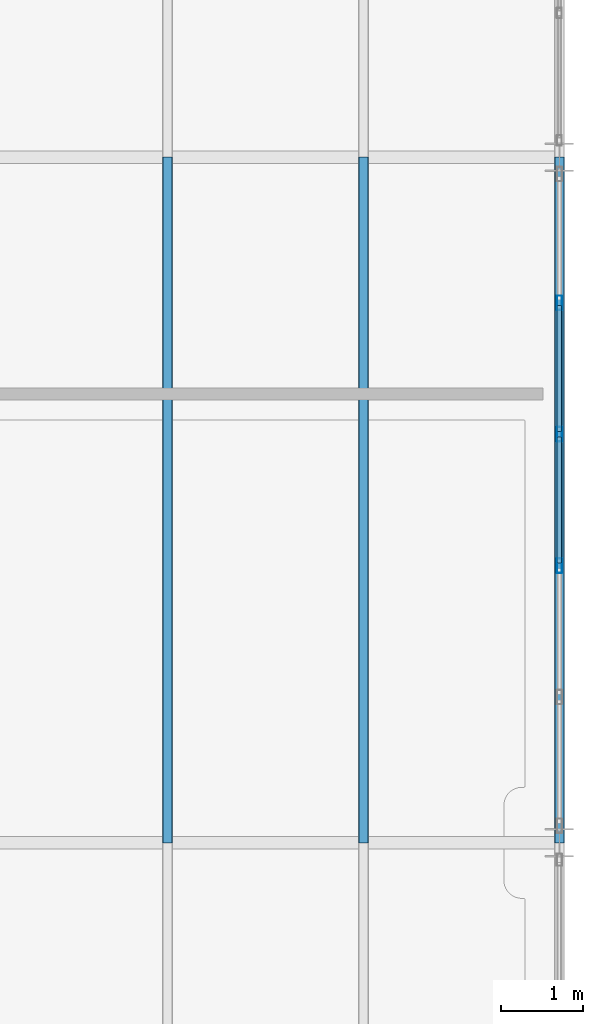
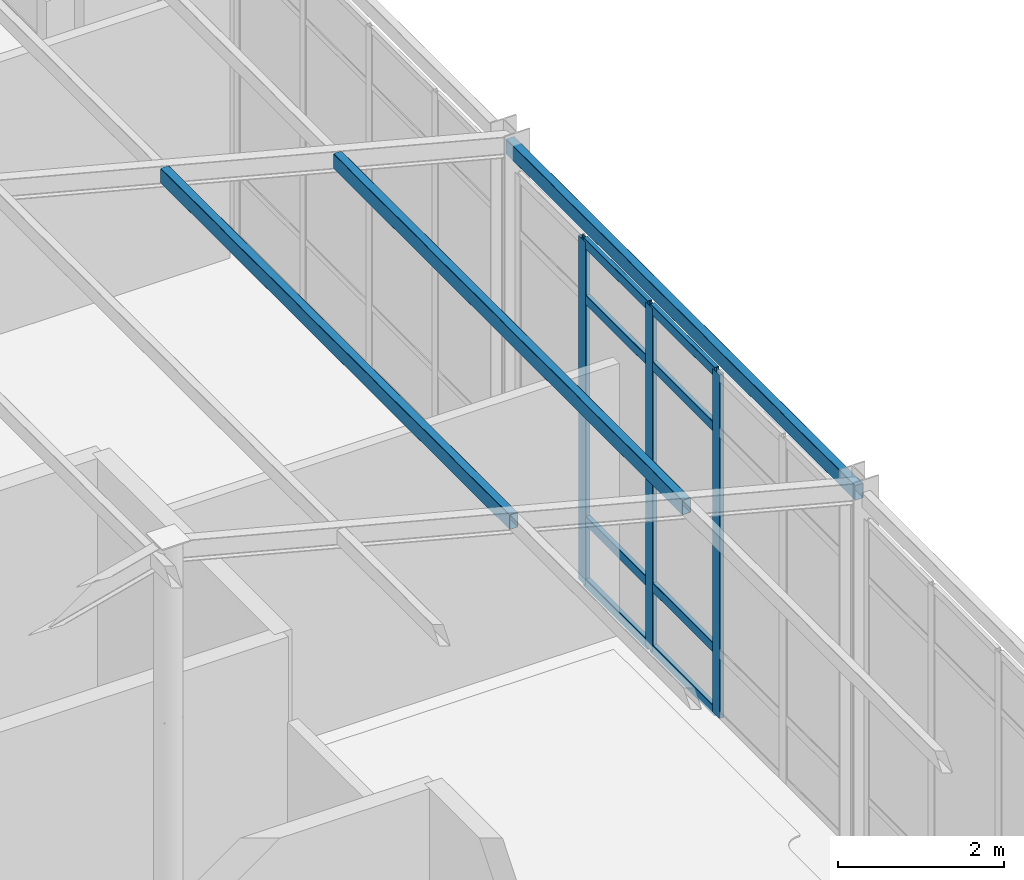
# One storey, part 16 of 121: 14 members, 1 element without a shape of its own.
"""IFC4 building model written with IfcOpenShell, lengths in metres."""

from ifc_helpers import new_model, si_unit, direction, frame, origin, origin_2d, place, context, subcontext, project, spatial, hollow_rectangle, extrude, material, material_profile, profile_set, type_object, element, aggregate, save


model = new_model("IFC4")

# Units and contexts
model_context = context("Model", 3, precision=1e-05, world=origin(), true_north=direction((0.0, 1.0)))
body_context = subcontext(model_context, "Body", "Model", "MODEL_VIEW")
ifc_project = project(units=[si_unit("LENGTHUNIT", "METRE"), si_unit("AREAUNIT", "SQUARE_METRE"), si_unit("VOLUMEUNIT", "CUBIC_METRE"), si_unit("PLANEANGLEUNIT", "RADIAN"), si_unit("MASSUNIT", "GRAM", prefix="KILO")], contexts=[model_context])

# Site, building, storey
site_placement = place(None, origin())
site = spatial("IfcSite", under=ifc_project, at=site_placement, CompositionType="ELEMENT")
building_placement = place(site_placement, origin())
building = spatial("IfcBuilding", under=site, at=building_placement, Name="Canglan Escarpment Cableway Terminal", CompositionType="ELEMENT")
storey_placement = place(building_placement, frame((0.0, 0.0, 24.60009765625)))
storey = spatial("IfcBuildingStorey", under=building, at=storey_placement, Name="L05", CompositionType="ELEMENT", Elevation=24.60009765625)

# Curtain wall, members
ifc_material_1 = material(Name="Anodized bronze aluminium and Low-E double glazing", Category="aluminium")
curtain_wall_type = type_object("IfcCurtainWallType", Name="CW-BAY-8050x5050", PredefinedType="NOTDEFINED", material=ifc_material_1)
curtain_wall_placement = place(storey_placement, origin())
curtain_wall = element("IfcCurtainWall", 1, at=curtain_wall_placement, inside=storey, type_object=curtain_wall_type, Name="Classical bay-between-piers glazed curtain wall CW-38", PredefinedType="NOTDEFINED")
ifc_material_2 = material(Name="Thermally broken anodized aluminium 6063-T6", Category="aluminium")
ifc_material_profile_1 = material_profile(ifc_material_2, hollow_rectangle(XDim=0.06494140625, YDim=0.179931640625, WallThickness=0.00390625, InnerFilletRadius=0.00390625, OuterFilletRadius=0.008056640625, at=origin_2d()), Name="ALU-MULL 65x180x4")
ifc_profile_set_1 = profile_set([ifc_material_profile_1], Name="Thermally broken anodized aluminium 6063-T6")
member_type_1 = type_object("IfcMemberType", Name="CWM-03", PredefinedType="MULLION", material=ifc_profile_set_1)
member_1_placement = place(storey_placement, frame((166.39990234375, 19.794921875, 0.0), z_axis=(0.0, 0.0, 1.0), x_axis=(-1.0, 0.0, 0.0)))
member_1 = element("IfcMember", 2, at=member_1_placement, type_object=member_type_1, Name="CW-38 mullion 3", PredefinedType="MULLION", context=body_context, shape_type="SweptSolid", body=[
    extrude(hollow_rectangle(XDim=0.06494140625, YDim=0.179931640625, WallThickness=0.00390625, InnerFilletRadius=0.00390625, OuterFilletRadius=0.008056640625, at=origin_2d()), origin(), (0.0, 0.0, 1.0), 5.0498046875),
])
member_2_placement = place(storey_placement, frame((166.39990234375, 21.405029296875, 0.0), z_axis=(0.0, 0.0, 1.0), x_axis=(-1.0, 0.0, 0.0)))
member_2 = element("IfcMember", 3, at=member_2_placement, type_object=member_type_1, Name="CW-38 mullion 4", PredefinedType="MULLION", context=body_context, shape_type="SweptSolid", body=[
    extrude(hollow_rectangle(XDim=0.06494140625, YDim=0.179931640625, WallThickness=0.00390625, InnerFilletRadius=0.00390625, OuterFilletRadius=0.008056640625, at=origin_2d()), origin(), (0.0, 0.0, 1.0), 5.0498046875),
])
member_3_placement = place(storey_placement, frame((166.39990234375, 23.014892578125, 0.0), z_axis=(0.0, 0.0, 1.0), x_axis=(-1.0, 0.0, 0.0)))
member_3 = element("IfcMember", 4, at=member_3_placement, type_object=member_type_1, Name="CW-38 mullion 5", PredefinedType="MULLION", context=body_context, shape_type="SweptSolid", body=[
    extrude(hollow_rectangle(XDim=0.06494140625, YDim=0.179931640625, WallThickness=0.00390625, InnerFilletRadius=0.00390625, OuterFilletRadius=0.008056640625, at=origin_2d()), origin(), (0.0, 0.0, 1.0), 5.0498046875),
])
ifc_material_profile_2 = material_profile(ifc_material_2, hollow_rectangle(XDim=0.06494140625, YDim=0.139892578125, WallThickness=0.00341796875, InnerFilletRadius=0.00341796875, OuterFilletRadius=0.007080078125, at=origin_2d()), Name="ALU-TRAN 65x140x3.5")
ifc_profile_set_2 = profile_set([ifc_material_profile_2], Name="Thermally broken anodized aluminium 6063-T6")
member_type_2 = type_object("IfcMemberType", Name="CWT-03", PredefinedType="USERDEFINED", material=ifc_profile_set_2)
member_4_placement = place(storey_placement, frame((166.39990234375, 19.827392578125, 0.032470703125), z_axis=(0.0, 1.0, 0.0), x_axis=(-1.0, 0.0, 0.0)))
member_4 = element("IfcMember", 5, at=member_4_placement, type_object=member_type_2, Name="CW-38 transom 3.1", ObjectType="TRANSOM", PredefinedType="USERDEFINED", context=body_context, shape_type="SweptSolid", body=[
    extrude(hollow_rectangle(XDim=0.06494140625, YDim=0.139892578125, WallThickness=0.00341796875, InnerFilletRadius=0.00341796875, OuterFilletRadius=0.007080078125, at=origin_2d()), origin(), (0.0, 0.0, 1.0), 1.545166015625),
])
member_5_placement = place(storey_placement, frame((166.39990234375, 19.827392578125, 0.949951171875), z_axis=(0.0, 1.0, 0.0), x_axis=(-1.0, 0.0, 0.0)))
member_5 = element("IfcMember", 6, at=member_5_placement, type_object=member_type_2, Name="CW-38 transom 3.2", ObjectType="TRANSOM", PredefinedType="USERDEFINED", context=body_context, shape_type="SweptSolid", body=[
    extrude(hollow_rectangle(XDim=0.06494140625, YDim=0.139892578125, WallThickness=0.00341796875, InnerFilletRadius=0.00341796875, OuterFilletRadius=0.007080078125, at=origin_2d()), origin(), (0.0, 0.0, 1.0), 1.545166015625),
])
member_6_placement = place(storey_placement, frame((166.39990234375, 19.827392578125, 4.199951171875), z_axis=(0.0, 1.0, 0.0), x_axis=(-1.0, 0.0, 0.0)))
member_6 = element("IfcMember", 7, at=member_6_placement, type_object=member_type_2, Name="CW-38 transom 3.3", ObjectType="TRANSOM", PredefinedType="USERDEFINED", context=body_context, shape_type="SweptSolid", body=[
    extrude(hollow_rectangle(XDim=0.06494140625, YDim=0.139892578125, WallThickness=0.00341796875, InnerFilletRadius=0.00341796875, OuterFilletRadius=0.007080078125, at=origin_2d()), origin(), (0.0, 0.0, 1.0), 1.545166015625),
])
member_7_placement = place(storey_placement, frame((166.39990234375, 19.827392578125, 5.017333984375), z_axis=(0.0, 1.0, 0.0), x_axis=(-1.0, 0.0, 0.0)))
member_7 = element("IfcMember", 8, at=member_7_placement, type_object=member_type_2, Name="CW-38 transom 3.4", ObjectType="TRANSOM", PredefinedType="USERDEFINED", context=body_context, shape_type="SweptSolid", body=[
    extrude(hollow_rectangle(XDim=0.06494140625, YDim=0.139892578125, WallThickness=0.00341796875, InnerFilletRadius=0.00341796875, OuterFilletRadius=0.007080078125, at=origin_2d()), origin(), (0.0, 0.0, 1.0), 1.545166015625),
])
member_8_placement = place(storey_placement, frame((166.39990234375, 21.4375, 0.032470703125), z_axis=(0.0, 1.0, 0.0), x_axis=(-1.0, 0.0, 0.0)))
member_8 = element("IfcMember", 9, at=member_8_placement, type_object=member_type_2, Name="CW-38 transom 4.1", ObjectType="TRANSOM", PredefinedType="USERDEFINED", context=body_context, shape_type="SweptSolid", body=[
    extrude(hollow_rectangle(XDim=0.06494140625, YDim=0.139892578125, WallThickness=0.00341796875, InnerFilletRadius=0.00341796875, OuterFilletRadius=0.007080078125, at=origin_2d()), origin(), (0.0, 0.0, 1.0), 1.544921875),
])
member_9_placement = place(storey_placement, frame((166.39990234375, 21.4375, 0.949951171875), z_axis=(0.0, 1.0, 0.0), x_axis=(-1.0, 0.0, 0.0)))
member_9 = element("IfcMember", 10, at=member_9_placement, type_object=member_type_2, Name="CW-38 transom 4.2", ObjectType="TRANSOM", PredefinedType="USERDEFINED", context=body_context, shape_type="SweptSolid", body=[
    extrude(hollow_rectangle(XDim=0.06494140625, YDim=0.139892578125, WallThickness=0.00341796875, InnerFilletRadius=0.00341796875, OuterFilletRadius=0.007080078125, at=origin_2d()), origin(), (0.0, 0.0, 1.0), 1.544921875),
])
member_10_placement = place(storey_placement, frame((166.39990234375, 21.4375, 4.199951171875), z_axis=(0.0, 1.0, 0.0), x_axis=(-1.0, 0.0, 0.0)))
member_10 = element("IfcMember", 11, at=member_10_placement, type_object=member_type_2, Name="CW-38 transom 4.3", ObjectType="TRANSOM", PredefinedType="USERDEFINED", context=body_context, shape_type="SweptSolid", body=[
    extrude(hollow_rectangle(XDim=0.06494140625, YDim=0.139892578125, WallThickness=0.00341796875, InnerFilletRadius=0.00341796875, OuterFilletRadius=0.007080078125, at=origin_2d()), origin(), (0.0, 0.0, 1.0), 1.544921875),
])
member_11_placement = place(storey_placement, frame((166.39990234375, 21.4375, 5.017333984375), z_axis=(0.0, 1.0, 0.0), x_axis=(-1.0, 0.0, 0.0)))
member_11 = element("IfcMember", 12, at=member_11_placement, type_object=member_type_2, Name="CW-38 transom 4.4", ObjectType="TRANSOM", PredefinedType="USERDEFINED", context=body_context, shape_type="SweptSolid", body=[
    extrude(hollow_rectangle(XDim=0.06494140625, YDim=0.139892578125, WallThickness=0.00341796875, InnerFilletRadius=0.00341796875, OuterFilletRadius=0.007080078125, at=origin_2d()), origin(), (0.0, 0.0, 1.0), 1.544921875),
])
aggregate(curtain_wall, [member_1, member_2, member_3, member_4, member_5, member_6, member_7, member_8, member_9, member_10, member_11])

# Members
ifc_material_3 = material(Name="Steel Q355B", Category="steel")
ifc_material_profile_3 = material_profile(ifc_material_3, hollow_rectangle(XDim=0.1201171875, YDim=0.219970703125, WallThickness=0.006103515625, InnerFilletRadius=0.006103515625, OuterFilletRadius=0.011962890625, at=origin_2d()), Name="RHS 220x120x6")
ifc_profile_set_3 = profile_set([ifc_material_profile_3], Name="Steel Q355B")
member_type_3 = type_object("IfcMemberType", Name="MB-PAV-PUR-RHS220", PredefinedType="PURLIN", material=ifc_profile_set_3)
for number, where, z_axis, x_axis, name in (
    (13, (161.60009765625, 16.39990234375, 6.579833984375), (0.0, 1.0, 0.0), (-1.0, 0.0, 0.0), "Pedimented pavilion purlin PR-03"),
    (14, (164.0, 16.39990234375, 5.954833984375), (0.0, 1.0, 0.0), (-1.0, 0.0, 0.0), "Pedimented pavilion purlin PR-03"),
    (15, (166.39990234375, 16.39990234375, 5.329833984375), (0.0, 1.0, 0.0), (-1.0, 0.0, 0.0), "Pedimented pavilion purlin PR-03"),
):
    element("IfcMember", number, at=place(storey_placement, frame(where, z_axis=z_axis, x_axis=x_axis)), inside=storey, type_object=member_type_3, Name=name, PredefinedType="PURLIN", context=body_context, shape_type="SweptSolid", body=[
        extrude(hollow_rectangle(XDim=0.1201171875, YDim=0.219970703125, WallThickness=0.006103515625, InnerFilletRadius=0.006103515625, OuterFilletRadius=0.011962890625, at=origin_2d()), origin(), (0.0, 0.0, 1.0), 8.400146484375),
    ])

save(model, "model.ifc")
